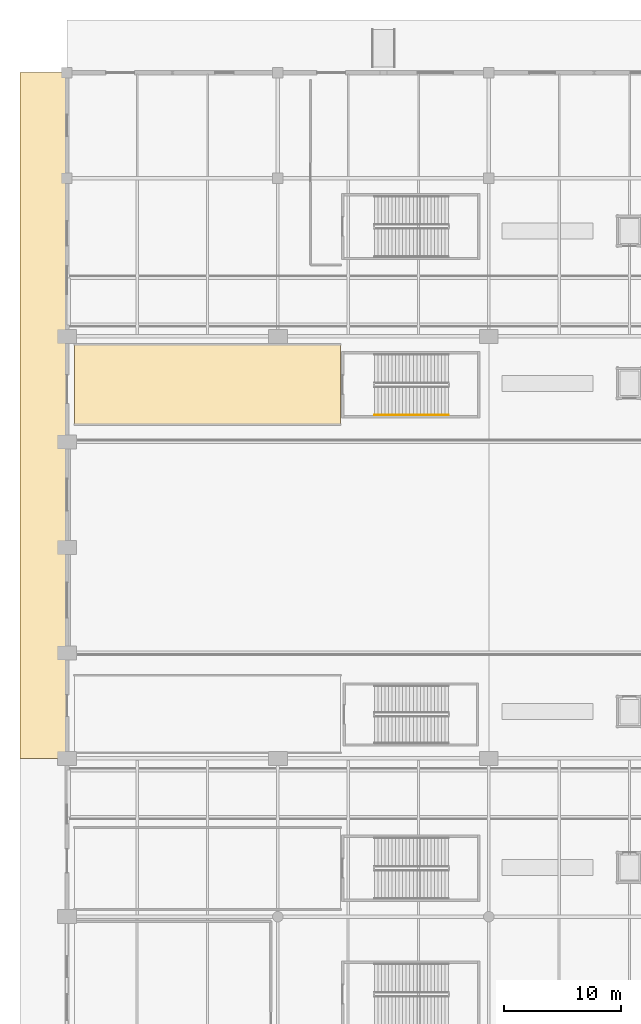
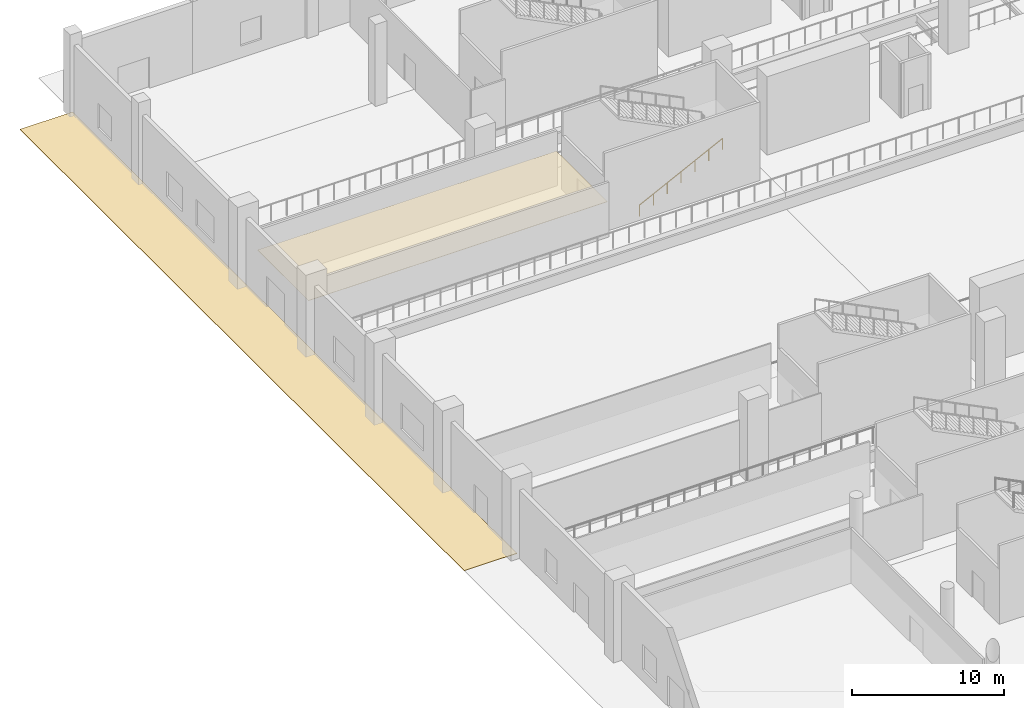
# One storey, part 44 of 65: 2 coverings, 1 railing.
"""IFC4 building model written with IfcOpenShell, lengths in metres."""

from ifc_helpers import new_model, si_unit, direction, frame, origin, origin_2d, place, context, subcontext, project, spatial, polyline, circle, outline, extrude, material, layer, layer_set, type_object, element, save


model = new_model("IFC4")

# Units and contexts
model_context = context("Model", 3, precision=1e-05, world=origin(), true_north=direction((0.0, 1.0)))
body_context = subcontext(model_context, "Body", "Model", "MODEL_VIEW")
ifc_project = project(units=[si_unit("LENGTHUNIT", "METRE"), si_unit("AREAUNIT", "SQUARE_METRE"), si_unit("VOLUMEUNIT", "CUBIC_METRE"), si_unit("PLANEANGLEUNIT", "RADIAN"), si_unit("MASSUNIT", "GRAM", prefix="KILO")], contexts=[model_context])

# Site, building, storey
site_placement = place(None, origin())
site = spatial("IfcSite", under=ifc_project, at=site_placement, CompositionType="ELEMENT")
building_placement = place(site_placement, origin())
building = spatial("IfcBuilding", under=site, at=building_placement, Name="Chuanluo Vaults Station", CompositionType="ELEMENT")
storey_placement = place(building_placement, origin())
storey = spatial("IfcBuildingStorey", under=building, at=storey_placement, Name="L00", CompositionType="ELEMENT", Elevation=0.0)

# Coverings
ifc_material_1 = material(Name="Acoustic mineral-fibre tile")
ifc_layer_1 = layer(ifc_material_1, 0.02490234375)
ifc_layer_set_1 = layer_set([ifc_layer_1], Name="Acoustic mineral-fibre tile")
covering_type_1 = type_object("IfcCoveringType", Name="COV-CEIL-TILE", PredefinedType="CEILING", material=ifc_layer_set_1)
covering_1_placement = place(storey_placement, frame((0.0, 0.0, 2.75)))
element("IfcCovering", 1, at=covering_1_placement, inside=storey, type_object=covering_type_1, Name="L00-EX13 suspended acoustic ceiling", PredefinedType="CEILING", context=body_context, shape_type="SweptSolid", body=[
    extrude(outline(polyline([(0.639892578125, 96.0400390625), (23.360107421875, 96.0400390625), (23.360107421875, 102.760009765625), (0.639892578125, 102.760009765625), (0.639892578125, 96.0400390625)])), origin(), (0.0, 0.0, 1.0), 0.02490234375),
])
ifc_material_2 = material(Name="Granite stone flooring", Category="masonry")
ifc_layer_2 = layer(ifc_material_2, 0.034912109375)
ifc_layer_set_2 = layer_set([ifc_layer_2], Name="Granite stone flooring")
covering_type_2 = type_object("IfcCoveringType", Name="COV-FLOR-GRAN", PredefinedType="FLOORING", material=ifc_layer_set_2)
covering_2_placement = place(storey_placement, frame((0.0, 0.0, -0.0400390625)))
element("IfcCovering", 2, at=covering_2_placement, inside=storey, type_object=covering_type_2, Name="Exterior plaza granite paving WEST2", PredefinedType="FLOORING", context=body_context, shape_type="SweptSolid", body=[
    extrude(outline(polyline([(-4.0, 67.5), (0.0, 67.5), (0.0, 126.0), (-4.0, 126.0), (-4.0, 67.5)])), origin(), (0.0, 0.0, 1.0), 0.0400390625),
])

# Railing
ifc_material_3 = material(Name="Brushed stainless steel 304", Category="steel")
railing_type = type_object("IfcRailingType", Name="RLG-HAND-900", PredefinedType="HANDRAIL", material=ifc_material_3)
railing_placement = place(storey_placement, frame((26.25, 96.800048828125, 0.14990234375)))
element("IfcRailing", 3, at=railing_placement, inside=storey, type_object=railing_type, Name="L00 ST-13 stair handrail 1", PredefinedType="HANDRAIL", context=body_context, shape_type="SweptSolid", body=[
    extrude(circle(Radius=0.02392578125, at=origin_2d()), frame((0.0, 0.0, 0.8759765625), z_axis=(0.894420258746, 0.0, 0.44722745974), x_axis=(0.0, 1.0, 0.0)), (0.0, 0.0, 1.0), 7.043701171875),
    extrude(circle(Radius=0.02099609375, at=origin_2d()), origin(), (0.0, 0.0, 1.0), 0.851806640625),
    extrude(circle(Radius=0.02099609375, at=origin_2d()), frame((1.050048828125, 0.0, 0.52490234375)), (0.0, 0.0, 1.0), 0.851806640625),
    extrude(circle(Radius=0.02099609375, at=origin_2d()), frame((2.10009765625, 0.0, 1.050048828125)), (0.0, 0.0, 1.0), 0.851806640625),
    extrude(circle(Radius=0.02099609375, at=origin_2d()), frame((3.14990234375, 0.0, 1.5751953125)), (0.0, 0.0, 1.0), 0.851806640625),
    extrude(circle(Radius=0.02099609375, at=origin_2d()), frame((4.199951171875, 0.0, 2.10009765625)), (0.0, 0.0, 1.0), 0.851806640625),
    extrude(circle(Radius=0.02099609375, at=origin_2d()), frame((5.25, 0.0, 2.625)), (0.0, 0.0, 1.0), 0.851806640625),
    extrude(circle(Radius=0.02099609375, at=origin_2d()), frame((6.300048828125, 0.0, 3.150146484375)), (0.0, 0.0, 1.0), 0.851806640625),
])

save(model, "model.ifc")
